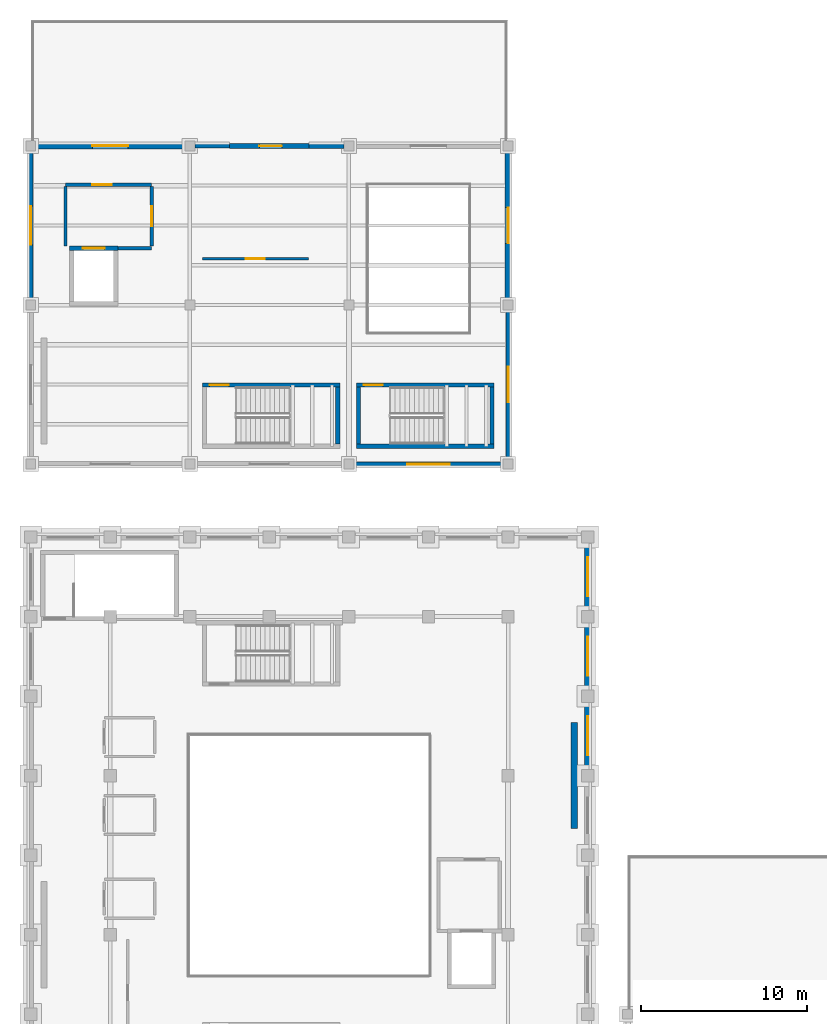
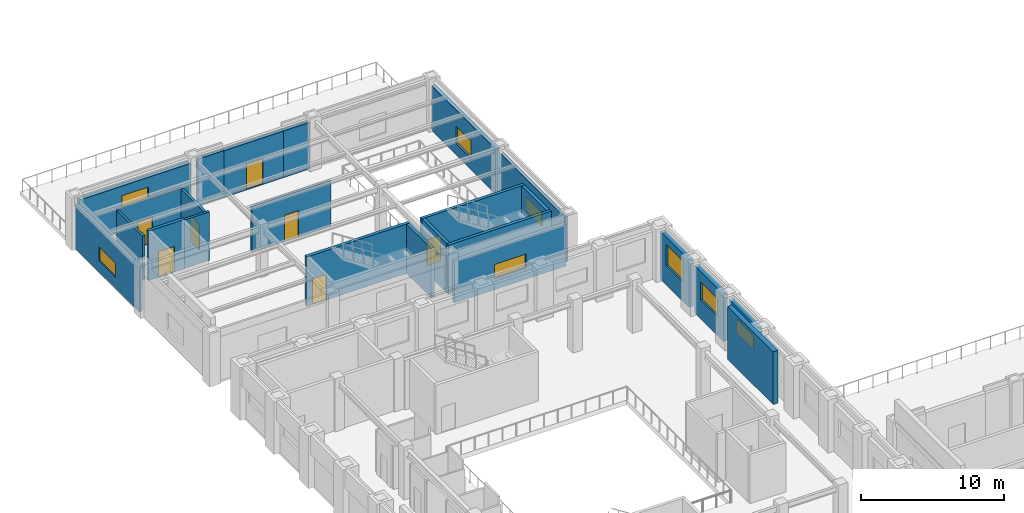
# One storey, part 32 of 46: 24 walls, 8 windows, 7 doors, 15 openings.
"""IFC4 building model written with IfcOpenShell, lengths in metres."""

from ifc_helpers import new_model, si_unit, direction, frame, frame_2d, origin, place, context, subcontext, project, spatial, rectangle, extrude, material, layer, layer_set, type_object, element, fill, save


model = new_model("IFC4")

# Units and contexts
model_context = context("Model", 3, precision=1e-05, world=origin(), true_north=direction((0.0, 1.0)))
body_context = subcontext(model_context, "Body", "Model", "MODEL_VIEW")
ifc_project = project(units=[si_unit("LENGTHUNIT", "METRE"), si_unit("AREAUNIT", "SQUARE_METRE"), si_unit("VOLUMEUNIT", "CUBIC_METRE"), si_unit("PLANEANGLEUNIT", "RADIAN"), si_unit("MASSUNIT", "GRAM", prefix="KILO")], contexts=[model_context])

# Site, building, storey
site_placement = place(None, origin())
site = spatial("IfcSite", under=ifc_project, at=site_placement, CompositionType="ELEMENT")
building_placement = place(site_placement, origin())
building = spatial("IfcBuilding", under=site, at=building_placement, Name="Mavantir Sound Aquarium", CompositionType="ELEMENT")
storey_placement = place(building_placement, frame((0.0, 0.0, 15.300048828125)))
storey = spatial("IfcBuildingStorey", under=building, at=storey_placement, Name="L03", CompositionType="ELEMENT", Elevation=15.300048828125)

# Wall, opening, door
ifc_material_1 = material(Name="Coral-Buff Architectural Precast Concrete C40/50", Category="concrete")
ifc_layer_1 = layer(ifc_material_1, 0.31005859375, Name="Coral-Buff Architectural Precast Concrete C40/50")
ifc_layer_set_1 = layer_set([ifc_layer_1], Name="Coral-Buff Architectural Precast Concrete C40/50")
wall_type_1 = type_object("IfcWallType", Name="EW-CORAL-310", PredefinedType="SOLIDWALL", material=ifc_layer_set_1)
wall_1_placement = place(storey_placement, frame((16.800048828125, 102.800048828125, 0.0), z_axis=(0.0, 0.0, 1.0), x_axis=(-1.0, 0.0, 0.0)))
wall_1 = element("IfcWall", 1, at=wall_1_placement, inside=storey, type_object=wall_type_1, Name="L03 terrace portal wall 17", PredefinedType="SOLIDWALL", context=body_context, shape_type="SweptSolid", body=[
    extrude(rectangle(XDim=4.800048828125, YDim=0.31005859375, at=frame_2d((2.39990234375, 0.0))), origin(), (0.0, 0.0, 1.0), 3.98291015625),
])
opening_1_placement = place(wall_1_placement, frame((3.0, 0.0, 0.0), z_axis=(0.0, 0.0, 1.0), x_axis=(-1.0, 0.0, 0.0)))
opening_1 = element("IfcOpeningElement", 2, at=opening_1_placement, cuts=wall_1, Name="Opening ETD-02", PredefinedType="OPENING", context=body_context, shape_type="SweptSolid", body=[
    extrude(rectangle(XDim=1.35009765625, YDim=2.199951171875, at=frame_2d((0.675048828125, 1.10009765625))), frame((0.0, 0.1650390625, 0.0), z_axis=(0.0, -1.0, 0.0), x_axis=(1.0, 0.0, 0.0)), (0.0, 0.0, 1.0), 0.330078125),
])
ifc_material_2 = material(Name="Marine-Grade Anodised Aluminium and Laminated Glass", Category="aluminium")
door_type_1 = type_object("IfcDoorType", Name="DR-TER-135", OperationType="NOTDEFINED", PredefinedType="DOOR", material=ifc_material_2)
door_1_placement = place(opening_1_placement, origin())
door_1 = element("IfcDoor", 3, at=door_1_placement, inside=storey, type_object=door_type_1, Name="L03 terrace access door 17", OperationType="SINGLE_SWING_RIGHT", OverallHeight=2.199951171875, OverallWidth=1.35009765625, PredefinedType="DOOR", context=body_context, shape_type="SweptSolid", body=[
    extrude(rectangle(XDim=1.35009765625, YDim=2.199951171875, at=frame_2d((0.675048828125, 1.10009765625))), frame((0.0, 0.02490234375, 0.0), z_axis=(0.0, -1.0, 0.0), x_axis=(1.0, 0.0, 0.0)), (0.0, 0.0, 1.0), 0.050048828125),
])
fill(opening_1, door_1)

# Wall, opening, window
ifc_layer_2 = layer(ifc_material_1, 0.340087890625, Name="Coral-Buff Architectural Precast Concrete C40/50")
ifc_layer_set_2 = layer_set([ifc_layer_2], Name="Coral-Buff Architectural Precast Concrete C40/50")
wall_type_2 = type_object("IfcWallType", Name="EW-CORAL-340", PredefinedType="SOLIDWALL", material=ifc_layer_set_2)
wall_2_placement = place(storey_placement, frame((33.60009765625, 65.18310546875, 0.0), z_axis=(0.0, 0.0, 1.0), x_axis=(0.0, 1.0, 0.0)))
wall_2 = element("IfcWall", 4, at=wall_2_placement, inside=storey, type_object=wall_type_2, Name="L03 exterior facade wall EW-01 306", PredefinedType="SOLIDWALL", context=body_context, shape_type="SweptSolid", body=[
    extrude(rectangle(XDim=4.033935546875, YDim=0.340087890625, at=frame_2d((2.01708984375, 0.0))), origin(), (0.0, 0.0, 1.0), 4.074951171875),
])
opening_2_placement = place(wall_2_placement, frame((0.842041015625, 0.0, 1.64990234375)))
opening_2 = element("IfcOpeningElement", 5, at=opening_2_placement, cuts=wall_2, Name="Opening W-29", PredefinedType="OPENING", context=body_context, shape_type="SweptSolid", body=[
    extrude(rectangle(XDim=2.35009765625, YDim=1.199951171875, at=frame_2d((1.175048828125, 0.60009765625))), frame((0.0, 0.18017578125, 0.0), z_axis=(0.0, -1.0, 0.0), x_axis=(1.0, 0.0, 0.0)), (0.0, 0.0, 1.0), 0.360107421875),
])
ifc_material_3 = material(Name="Thermally Broken Aluminium and Low-E Glass", Category="aluminium")
window_type_1 = type_object("IfcWindowType", Name="WIN-EXT-29", PartitioningType="DOUBLE_PANEL_VERTICAL", PredefinedType="WINDOW", material=ifc_material_3)
window_1_placement = place(opening_2_placement, origin())
window_1 = element("IfcWindow", 6, at=window_1_placement, inside=storey, type_object=window_type_1, Name="L03 facade window W-29 125", OverallHeight=1.199951171875, OverallWidth=2.35009765625, PartitioningType="SINGLE_PANEL", PredefinedType="WINDOW", context=body_context, shape_type="SweptSolid", body=[
    extrude(rectangle(XDim=2.35009765625, YDim=1.199951171875, at=frame_2d((1.175048828125, 0.60009765625))), frame((0.0, 0.030029296875, 0.0), z_axis=(0.0, -1.0, 0.0), x_axis=(1.0, 0.0, 0.0)), (0.0, 0.0, 1.0), 0.06005859375),
])
fill(opening_2, window_1)

wall_3_placement = place(storey_placement, frame((33.60009765625, 69.98291015625, 0.0), z_axis=(0.0, 0.0, 1.0), x_axis=(0.0, 1.0, 0.0)))
wall_3 = element("IfcWall", 7, at=wall_3_placement, inside=storey, type_object=wall_type_2, Name="L03 exterior facade wall EW-01 307", PredefinedType="SOLIDWALL", context=body_context, shape_type="SweptSolid", body=[
    extrude(rectangle(XDim=4.0341796875, YDim=0.340087890625, at=frame_2d((2.01708984375, 0.0))), origin(), (0.0, 0.0, 1.0), 4.074951171875),
])
opening_3_placement = place(wall_3_placement, frame((0.842041015625, 0.0, 1.64990234375)))
opening_3 = element("IfcOpeningElement", 8, at=opening_3_placement, cuts=wall_3, Name="Opening W-30", PredefinedType="OPENING", context=body_context, shape_type="SweptSolid", body=[
    extrude(rectangle(XDim=2.35009765625, YDim=1.5, at=frame_2d((1.175048828125, 0.75))), frame((0.0, 0.18017578125, 0.0), z_axis=(0.0, -1.0, 0.0), x_axis=(1.0, 0.0, 0.0)), (0.0, 0.0, 1.0), 0.360107421875),
])
window_type_2 = type_object("IfcWindowType", Name="WIN-EXT-30", PartitioningType="DOUBLE_PANEL_VERTICAL", PredefinedType="WINDOW", material=ifc_material_3)
window_2_placement = place(opening_3_placement, origin())
window_2 = element("IfcWindow", 9, at=window_2_placement, inside=storey, type_object=window_type_2, Name="L03 facade window W-30 126", OverallHeight=1.5, OverallWidth=2.35009765625, PartitioningType="SINGLE_PANEL", PredefinedType="WINDOW", context=body_context, shape_type="SweptSolid", body=[
    extrude(rectangle(XDim=2.35009765625, YDim=1.5, at=frame_2d((1.175048828125, 0.75))), frame((0.0, 0.030029296875, 0.0), z_axis=(0.0, -1.0, 0.0), x_axis=(1.0, 0.0, 0.0)), (0.0, 0.0, 1.0), 0.06005859375),
])
fill(opening_3, window_2)

wall_4_placement = place(storey_placement, frame((33.60009765625, 74.782958984375, 0.0), z_axis=(0.0, 0.0, 1.0), x_axis=(0.0, 1.0, 0.0)))
wall_4 = element("IfcWall", 10, at=wall_4_placement, inside=storey, type_object=wall_type_2, Name="L03 exterior facade wall EW-01 308", PredefinedType="SOLIDWALL", context=body_context, shape_type="SweptSolid", body=[
    extrude(rectangle(XDim=4.033935546875, YDim=0.340087890625, at=frame_2d((2.01708984375, 0.0))), origin(), (0.0, 0.0, 1.0), 4.074951171875),
])
opening_4_placement = place(wall_4_placement, frame((0.842041015625, 0.0, 1.64990234375)))
opening_4 = element("IfcOpeningElement", 11, at=opening_4_placement, cuts=wall_4, Name="Opening W-31", PredefinedType="OPENING", context=body_context, shape_type="SweptSolid", body=[
    extrude(rectangle(XDim=2.35009765625, YDim=1.800048828125, at=frame_2d((1.175048828125, 0.89990234375))), frame((0.0, 0.18017578125, 0.0), z_axis=(0.0, -1.0, 0.0), x_axis=(1.0, 0.0, 0.0)), (0.0, 0.0, 1.0), 0.360107421875),
])
window_type_3 = type_object("IfcWindowType", Name="WIN-EXT-31", PartitioningType="DOUBLE_PANEL_VERTICAL", PredefinedType="WINDOW", material=ifc_material_3)
window_3_placement = place(opening_4_placement, origin())
window_3 = element("IfcWindow", 12, at=window_3_placement, inside=storey, type_object=window_type_3, Name="L03 facade window W-31 127", OverallHeight=1.800048828125, OverallWidth=2.35009765625, PartitioningType="SINGLE_PANEL", PredefinedType="WINDOW", context=body_context, shape_type="SweptSolid", body=[
    extrude(rectangle(XDim=2.35009765625, YDim=1.800048828125, at=frame_2d((1.175048828125, 0.89990234375))), frame((0.0, 0.030029296875, 0.0), z_axis=(0.0, -1.0, 0.0), x_axis=(1.0, 0.0, 0.0)), (0.0, 0.0, 1.0), 0.06005859375),
])
fill(opening_4, window_3)

wall_5_placement = place(storey_placement, frame((28.800048828125, 93.508056640625, 0.0), z_axis=(0.0, 0.0, 1.0), x_axis=(0.0, 1.0, 0.0)))
wall_5 = element("IfcWall", 13, at=wall_5_placement, inside=storey, type_object=wall_type_2, Name="L03 exterior facade wall EW-01 367", PredefinedType="SOLIDWALL", context=body_context, shape_type="SweptSolid", body=[
    extrude(rectangle(XDim=8.98388671875, YDim=0.340087890625, at=frame_2d((4.491943359375, 0.0))), origin(), (0.0, 0.0, 1.0), 3.822998046875),
])
opening_5_placement = place(wall_5_placement, frame((3.4169921875, 0.0, 0.949951171875)))
opening_5 = element("IfcOpeningElement", 14, at=opening_5_placement, cuts=wall_5, Name="Opening W-26", PredefinedType="OPENING", context=body_context, shape_type="SweptSolid", body=[
    extrude(rectangle(XDim=2.14990234375, YDim=1.5, at=frame_2d((1.074951171875, 0.75))), frame((0.0, 0.18017578125, 0.0), z_axis=(0.0, -1.0, 0.0), x_axis=(1.0, 0.0, 0.0)), (0.0, 0.0, 1.0), 0.360107421875),
])
window_type_4 = type_object("IfcWindowType", Name="WIN-EXT-26", PartitioningType="DOUBLE_PANEL_VERTICAL", PredefinedType="WINDOW", material=ifc_material_3)
window_4_placement = place(opening_5_placement, origin())
window_4 = element("IfcWindow", 15, at=window_4_placement, inside=storey, type_object=window_type_4, Name="L03 facade window W-26 170", OverallHeight=1.5, OverallWidth=2.14990234375, PartitioningType="SINGLE_PANEL", PredefinedType="WINDOW", context=body_context, shape_type="SweptSolid", body=[
    extrude(rectangle(XDim=2.14990234375, YDim=1.5, at=frame_2d((1.074951171875, 0.75))), frame((0.0, 0.030029296875, 0.0), z_axis=(0.0, -1.0, 0.0), x_axis=(1.0, 0.0, 0.0)), (0.0, 0.0, 1.0), 0.06005859375),
])
fill(opening_5, window_4)

ifc_material_4 = material(Name="Architectural Precast Concrete C40/50", Category="concrete")
ifc_layer_3 = layer(ifc_material_4, 0.239990234375, Name="Architectural Precast Concrete C40/50")
ifc_layer_set_3 = layer_set([ifc_layer_3], Name="Architectural Precast Concrete C40/50")
wall_type_3 = type_object("IfcWallType", Name="EW-PRE-240", PredefinedType="SOLIDWALL", material=ifc_layer_set_3)
wall_6_placement = place(storey_placement, frame((28.800048828125, 83.907958984375, 0.0), z_axis=(0.0, 0.0, 1.0), x_axis=(0.0, 1.0, 0.0)))
wall_6 = element("IfcWall", 16, at=wall_6_placement, inside=storey, type_object=wall_type_3, Name="L03 exterior facade wall EW-06 366", PredefinedType="SOLIDWALL", context=body_context, shape_type="SweptSolid", body=[
    extrude(rectangle(XDim=8.984130859375, YDim=0.239990234375, at=frame_2d((4.4921875, 0.0))), origin(), (0.0, 0.0, 1.0), 3.822998046875),
])
opening_6_placement = place(wall_6_placement, frame((3.4169921875, 0.0, 0.949951171875)))
opening_6 = element("IfcOpeningElement", 17, at=opening_6_placement, cuts=wall_6, Name="Opening W-25", PredefinedType="OPENING", context=body_context, shape_type="SweptSolid", body=[
    extrude(rectangle(XDim=2.14990234375, YDim=1.199951171875, at=frame_2d((1.074951171875, 0.60009765625))), frame((0.0, 0.1298828125, 0.0), z_axis=(0.0, -1.0, 0.0), x_axis=(1.0, 0.0, 0.0)), (0.0, 0.0, 1.0), 0.260009765625),
])
window_type_5 = type_object("IfcWindowType", Name="WIN-EXT-25", PartitioningType="DOUBLE_PANEL_VERTICAL", PredefinedType="WINDOW", material=ifc_material_3)
window_5_placement = place(opening_6_placement, origin())
window_5 = element("IfcWindow", 18, at=window_5_placement, inside=storey, type_object=window_type_5, Name="L03 facade window W-25 169", OverallHeight=1.199951171875, OverallWidth=2.14990234375, PartitioningType="SINGLE_PANEL", PredefinedType="WINDOW", context=body_context, shape_type="SweptSolid", body=[
    extrude(rectangle(XDim=2.14990234375, YDim=1.199951171875, at=frame_2d((1.074951171875, 0.60009765625))), frame((0.0, 0.030029296875, 0.0), z_axis=(0.0, -1.0, 0.0), x_axis=(1.0, 0.0, 0.0)), (0.0, 0.0, 1.0), 0.06005859375),
])
fill(opening_6, window_5)

wall_7_placement = place(storey_placement, frame((0.0, 102.491943359375, 0.0), z_axis=(0.0, 0.0, 1.0), x_axis=(0.0, -1.0, 0.0)))
wall_7 = element("IfcWall", 19, at=wall_7_placement, inside=storey, type_object=wall_type_3, Name="L03 exterior facade wall EW-06 372", PredefinedType="SOLIDWALL", context=body_context, shape_type="SweptSolid", body=[
    extrude(rectangle(XDim=8.98388671875, YDim=0.239990234375, at=frame_2d((4.491943359375, 0.0))), origin(), (0.0, 0.0, 1.0), 3.76904296875),
])
opening_7_placement = place(wall_7_placement, frame((3.31689453125, 0.0, 0.949951171875)))
opening_7 = element("IfcOpeningElement", 20, at=opening_7_placement, cuts=wall_7, Name="Opening W-29", PredefinedType="OPENING", context=body_context, shape_type="SweptSolid", body=[
    extrude(rectangle(XDim=2.35009765625, YDim=1.199951171875, at=frame_2d((1.175048828125, 0.60009765625))), frame((0.0, 0.1298828125, 0.0), z_axis=(0.0, -1.0, 0.0), x_axis=(1.0, 0.0, 0.0)), (0.0, 0.0, 1.0), 0.260009765625),
])
window_6_placement = place(opening_7_placement, origin())
window_6 = element("IfcWindow", 21, at=window_6_placement, inside=storey, type_object=window_type_1, Name="L03 facade window W-29 173", OverallHeight=1.199951171875, OverallWidth=2.35009765625, PartitioningType="SINGLE_PANEL", PredefinedType="WINDOW", context=body_context, shape_type="SweptSolid", body=[
    extrude(rectangle(XDim=2.35009765625, YDim=1.199951171875, at=frame_2d((1.175048828125, 0.60009765625))), frame((0.0, 0.030029296875, 0.0), z_axis=(0.0, -1.0, 0.0), x_axis=(1.0, 0.0, 0.0)), (0.0, 0.0, 1.0), 0.06005859375),
])
fill(opening_7, window_6)

ifc_layer_4 = layer(ifc_material_1, 0.360107421875, Name="Coral-Buff Architectural Precast Concrete C40/50")
ifc_layer_set_4 = layer_set([ifc_layer_4], Name="Coral-Buff Architectural Precast Concrete C40/50")
wall_type_4 = type_object("IfcWallType", Name="EW-PRE-360", PredefinedType="SOLIDWALL", material=ifc_layer_set_4)
wall_8_placement = place(storey_placement, frame((9.2919921875, 102.800048828125, 0.0), z_axis=(0.0, 0.0, 1.0), x_axis=(-1.0, 0.0, 0.0)))
wall_8 = element("IfcWall", 22, at=wall_8_placement, inside=storey, type_object=wall_type_4, Name="L03 exterior facade wall EW-05 371", PredefinedType="SOLIDWALL", context=body_context, shape_type="SweptSolid", body=[
    extrude(rectangle(XDim=8.98388671875, YDim=0.360107421875, at=frame_2d((4.491943359375, 0.0))), origin(), (0.0, 0.0, 1.0), 3.8779296875),
])
opening_8_placement = place(wall_8_placement, frame((3.4169921875, 0.0, 0.949951171875)))
opening_8 = element("IfcOpeningElement", 23, at=opening_8_placement, cuts=wall_8, Name="Opening W-28", PredefinedType="OPENING", context=body_context, shape_type="SweptSolid", body=[
    extrude(rectangle(XDim=2.14990234375, YDim=2.10009765625, at=frame_2d((1.074951171875, 1.050048828125))), frame((0.0, 0.18994140625, 0.0), z_axis=(0.0, -1.0, 0.0), x_axis=(1.0, 0.0, 0.0)), (0.0, 0.0, 1.0), 0.380126953125),
])
window_type_6 = type_object("IfcWindowType", Name="WIN-EXT-28", PartitioningType="DOUBLE_PANEL_VERTICAL", PredefinedType="WINDOW", material=ifc_material_3)
window_7_placement = place(opening_8_placement, origin())
window_7 = element("IfcWindow", 24, at=window_7_placement, inside=storey, type_object=window_type_6, Name="L03 facade window W-28 172", OverallHeight=2.10009765625, OverallWidth=2.14990234375, PartitioningType="SINGLE_PANEL", PredefinedType="WINDOW", context=body_context, shape_type="SweptSolid", body=[
    extrude(rectangle(XDim=2.14990234375, YDim=2.10009765625, at=frame_2d((1.074951171875, 1.050048828125))), frame((0.0, 0.030029296875, 0.0), z_axis=(0.0, -1.0, 0.0), x_axis=(1.0, 0.0, 0.0)), (0.0, 0.0, 1.0), 0.06005859375),
])
fill(opening_8, window_7)

# Wall
ifc_material_5 = material(Name="Cerulean Glazed Terracotta Rainscreen on Concrete C40/50", Category="masonry")
ifc_layer_5 = layer(ifc_material_5, 0.27001953125, Name="Cerulean Glazed Terracotta Rainscreen on Concrete C40/50")
ifc_layer_set_5 = layer_set([ifc_layer_5], Name="Cerulean Glazed Terracotta Rainscreen on Concrete C40/50")
wall_type_5 = type_object("IfcWallType", Name="EW-TERRA-270", PredefinedType="SOLIDWALL", material=ifc_layer_set_5)
wall_9_placement = place(storey_placement, frame((11.9951171875, 102.800048828125, 0.0), z_axis=(0.0, 0.0, 1.0), x_axis=(-1.0, 0.0, 0.0)))
element("IfcWall", 25, at=wall_9_placement, inside=storey, type_object=wall_type_5, Name="L03 exterior facade wall EW-04 370", PredefinedType="SOLIDWALL", context=body_context, shape_type="SweptSolid", body=[
    extrude(rectangle(XDim=2.087158203125, YDim=0.27001953125, at=frame_2d((1.04345703125, 0.0))), origin(), (0.0, 0.0, 1.0), 3.98291015625),
])

# Wall, opening, window
wall_10_placement = place(storey_placement, frame((19.508056640625, 83.60009765625, 0.0), z_axis=(0.0, 0.0, 1.0), x_axis=(1.0, 0.0, 0.0)))
wall_10 = element("IfcWall", 26, at=wall_10_placement, inside=storey, type_object=wall_type_5, Name="L03 exterior facade wall EW-04 376", PredefinedType="SOLIDWALL", context=body_context, shape_type="SweptSolid", body=[
    extrude(rectangle(XDim=8.98388671875, YDim=0.27001953125, at=frame_2d((4.491943359375, 0.0))), origin(), (0.0, 0.0, 1.0), 3.574951171875),
])
opening_9_placement = place(wall_10_placement, frame((3.217041015625, 0.0, 0.949951171875)))
opening_9 = element("IfcOpeningElement", 27, at=opening_9_placement, cuts=wall_10, Name="Opening W-33", PredefinedType="OPENING", context=body_context, shape_type="SweptSolid", body=[
    extrude(rectangle(XDim=2.550048828125, YDim=1.199951171875, at=frame_2d((1.27490234375, 0.60009765625))), frame((0.0, 0.14501953125, 0.0), z_axis=(0.0, -1.0, 0.0), x_axis=(1.0, 0.0, 0.0)), (0.0, 0.0, 1.0), 0.2900390625),
])
window_type_7 = type_object("IfcWindowType", Name="WIN-EXT-33", PartitioningType="TRIPLE_PANEL_VERTICAL", PredefinedType="WINDOW", material=ifc_material_3)
window_8_placement = place(opening_9_placement, origin())
window_8 = element("IfcWindow", 28, at=window_8_placement, inside=storey, type_object=window_type_7, Name="L03 facade window W-33 177", OverallHeight=1.199951171875, OverallWidth=2.550048828125, PartitioningType="SINGLE_PANEL", PredefinedType="WINDOW", context=body_context, shape_type="SweptSolid", body=[
    extrude(rectangle(XDim=2.550048828125, YDim=1.199951171875, at=frame_2d((1.27490234375, 0.60009765625))), frame((0.0, 0.030029296875, 0.0), z_axis=(0.0, -1.0, 0.0), x_axis=(1.0, 0.0, 0.0)), (0.0, 0.0, 1.0), 0.06005859375),
])
fill(opening_9, window_8)

# Wall
ifc_material_6 = material(Name="Turquoise Glazed Terracotta Rainscreen on Concrete C40/50", Category="masonry")
ifc_layer_6 = layer(ifc_material_6, 0.2900390625, Name="Turquoise Glazed Terracotta Rainscreen on Concrete C40/50")
ifc_layer_set_6 = layer_set([ifc_layer_6], Name="Turquoise Glazed Terracotta Rainscreen on Concrete C40/50")
wall_type_6 = type_object("IfcWallType", Name="EW-TERRA-290", PredefinedType="SOLIDWALL", material=ifc_layer_set_6)
wall_11_placement = place(storey_placement, frame((18.89208984375, 102.800048828125, 0.0), z_axis=(0.0, 0.0, 1.0), x_axis=(-1.0, 0.0, 0.0)))
element("IfcWall", 29, at=wall_11_placement, inside=storey, type_object=wall_type_6, Name="L03 exterior facade wall EW-03 369", PredefinedType="SOLIDWALL", context=body_context, shape_type="SweptSolid", body=[
    extrude(rectangle(XDim=2.087158203125, YDim=0.2900390625, at=frame_2d((1.04345703125, 0.0))), origin(), (0.0, 0.0, 1.0), 3.98291015625),
])

# Wall, opening, door
ifc_material_7 = material(Name="Concrete C40/50", Category="concrete")
ifc_layer_7 = layer(ifc_material_7, 0.199951171875, Name="Concrete C40/50")
ifc_layer_set_7 = layer_set([ifc_layer_7], Name="Concrete C40/50")
wall_type_7 = type_object("IfcWallType", Name="IW-FFL-200", PredefinedType="PARTITIONING", material=ifc_layer_set_7)
wall_12_placement = place(storey_placement, frame((2.10009765625, 100.449951171875, 0.0), z_axis=(0.0, 0.0, 1.0), x_axis=(1.0, 0.0, 0.0)))
wall_12 = element("IfcWall", 30, at=wall_12_placement, inside=storey, type_object=wall_type_7, Name="L03 firefighting lift lobby LC2 wall N", PredefinedType="PARTITIONING", context=body_context, shape_type="SweptSolid", body=[
    extrude(rectangle(XDim=5.199951171875, YDim=0.199951171875, at=frame_2d((2.60009765625, 0.0))), origin(), (0.0, 0.0, 1.0), 3.8330078125),
])
opening_10_placement = place(wall_12_placement, frame((1.60009765625, 0.0, 0.0)))
opening_10 = element("IfcOpeningElement", 31, at=opening_10_placement, cuts=wall_12, Name="Opening FD-01", PredefinedType="OPENING", context=body_context, shape_type="SweptSolid", body=[
    extrude(rectangle(XDim=1.199951171875, YDim=2.199951171875, at=frame_2d((0.60009765625, 1.10009765625))), frame((0.0, 0.10986328125, 0.0), z_axis=(0.0, -1.0, 0.0), x_axis=(1.0, 0.0, 0.0)), (0.0, 0.0, 1.0), 0.219970703125),
])
ifc_material_8 = material(Name="Fire-Rated Steel Lobby Door Leaf", Category="steel")
door_type_2 = type_object("IfcDoorType", Name="DR-FFL-120", OperationType="NOTDEFINED", PredefinedType="DOOR", material=ifc_material_8)
door_2_placement = place(opening_10_placement, origin())
door_2 = element("IfcDoor", 32, at=door_2_placement, inside=storey, type_object=door_type_2, Name="L03 firefighting lobby LC2 accommodation door", OperationType="SINGLE_SWING_LEFT", OverallHeight=2.199951171875, OverallWidth=1.199951171875, PredefinedType="DOOR", context=body_context, shape_type="SweptSolid", body=[
    extrude(rectangle(XDim=1.199951171875, YDim=2.199951171875, at=frame_2d((0.60009765625, 1.10009765625))), frame((0.0, 0.02490234375, 0.0), z_axis=(0.0, -1.0, 0.0), x_axis=(1.0, 0.0, 0.0)), (0.0, 0.0, 1.0), 0.050048828125),
])
fill(opening_10, door_2)

# Wall
wall_13_placement = place(storey_placement, frame((2.10009765625, 96.75, 0.0), z_axis=(0.0, 0.0, 1.0), x_axis=(0.0, 1.0, 0.0)))
element("IfcWall", 33, at=wall_13_placement, inside=storey, type_object=wall_type_7, Name="L03 firefighting lift lobby LC2 wall W", PredefinedType="PARTITIONING", context=body_context, shape_type="SweptSolid", body=[
    extrude(rectangle(XDim=3.60009765625, YDim=0.199951171875, at=frame_2d((1.800048828125, 0.0))), origin(), (0.0, 0.0, 1.0), 3.76904296875),
])

# Wall, opening, door
wall_14_placement = place(storey_placement, frame((7.300048828125, 96.75, 0.0), z_axis=(0.0, 0.0, 1.0), x_axis=(0.0, 1.0, 0.0)))
wall_14 = element("IfcWall", 34, at=wall_14_placement, inside=storey, type_object=wall_type_7, Name="L03 firefighting lift lobby LC2 wall E", PredefinedType="PARTITIONING", context=body_context, shape_type="SweptSolid", body=[
    extrude(rectangle(XDim=3.60009765625, YDim=0.199951171875, at=frame_2d((1.800048828125, 0.0))), origin(), (0.0, 0.0, 1.0), 3.76904296875),
])
opening_11_placement = place(wall_14_placement, frame((1.199951171875, 0.0, 0.0)))
opening_11 = element("IfcOpeningElement", 35, at=opening_11_placement, cuts=wall_14, Name="Opening FD-01", PredefinedType="OPENING", context=body_context, shape_type="SweptSolid", body=[
    extrude(rectangle(XDim=1.199951171875, YDim=2.199951171875, at=frame_2d((0.60009765625, 1.10009765625))), frame((0.0, 0.10986328125, 0.0), z_axis=(0.0, -1.0, 0.0), x_axis=(1.0, 0.0, 0.0)), (0.0, 0.0, 1.0), 0.219970703125),
])
door_3_placement = place(opening_11_placement, origin())
door_3 = element("IfcDoor", 36, at=door_3_placement, inside=storey, type_object=door_type_2, Name="L03 firefighting lobby LC2 stair-access door", OperationType="SINGLE_SWING_RIGHT", OverallHeight=2.199951171875, OverallWidth=1.199951171875, PredefinedType="DOOR", context=body_context, shape_type="SweptSolid", body=[
    extrude(rectangle(XDim=1.199951171875, YDim=2.199951171875, at=frame_2d((0.60009765625, 1.10009765625))), frame((0.0, 0.02490234375, 0.0), z_axis=(0.0, -1.0, 0.0), x_axis=(1.0, 0.0, 0.0)), (0.0, 0.0, 1.0), 0.050048828125),
])
fill(opening_11, door_3)

# Wall
wall_15_placement = place(storey_placement, frame((5.25, 96.625, 0.0), z_axis=(0.0, 0.0, 1.0), x_axis=(1.0, 0.0, 0.0)))
element("IfcWall", 37, at=wall_15_placement, inside=storey, type_object=wall_type_7, Name="L03 firefighting lift lobby LC2 return SE", PredefinedType="PARTITIONING", context=body_context, shape_type="SweptSolid", body=[
    extrude(rectangle(XDim=2.050048828125, YDim=0.199951171875, at=frame_2d((1.02490234375, 0.0))), origin(), (0.0, 0.0, 1.0), 4.139892578125),
])

# Wall, opening, door
ifc_material_9 = material(Name="Acoustic Metal-Stud Gypsum Partition", Category="gypsum")
ifc_layer_8 = layer(ifc_material_9, 0.159912109375, Name="Acoustic Metal-Stud Gypsum Partition")
ifc_layer_set_8 = layer_set([ifc_layer_8], Name="Acoustic Metal-Stud Gypsum Partition")
wall_type_8 = type_object("IfcWallType", Name="IW-PART-160", PredefinedType="PARTITIONING", material=ifc_layer_set_8)
wall_16_placement = place(storey_placement, frame((10.35009765625, 96.0, 0.0), z_axis=(0.0, 0.0, 1.0), x_axis=(1.0, 0.0, 0.0)))
wall_16 = element("IfcWall", 38, at=wall_16_placement, inside=storey, type_object=wall_type_8, Name="L03 Marine Research Curatorial Library and Herbarium entry partition", PredefinedType="PARTITIONING", context=body_context, shape_type="SweptSolid", body=[
    extrude(rectangle(XDim=6.39990234375, YDim=0.159912109375, at=frame_2d((3.199951171875, 0.0))), origin(), (0.0, 0.0, 1.0), 3.8759765625),
])
opening_12_placement = place(wall_16_placement, frame((2.6298828125, 0.0, 0.0)))
opening_12 = element("IfcOpeningElement", 39, at=opening_12_placement, cuts=wall_16, Name="Opening ID-07", PredefinedType="OPENING", context=body_context, shape_type="SweptSolid", body=[
    extrude(rectangle(XDim=1.139892578125, YDim=2.219970703125, at=frame_2d((0.56982421875, 1.10986328125))), frame((0.0, 0.08984375, 0.0), z_axis=(0.0, -1.0, 0.0), x_axis=(1.0, 0.0, 0.0)), (0.0, 0.0, 1.0), 0.179931640625),
])
ifc_material_10 = material(Name="Solid-Core Marine Hardwood and Vision-Panel Door", Category="wood")
door_type_3 = type_object("IfcDoorType", Name="DR-INT-07", OperationType="NOTDEFINED", PredefinedType="DOOR", material=ifc_material_10)
door_4_placement = place(opening_12_placement, origin())
door_4 = element("IfcDoor", 40, at=door_4_placement, inside=storey, type_object=door_type_3, Name="Marine Research Curatorial Library and Herbarium door", OperationType="SINGLE_SWING_LEFT", OverallHeight=2.219970703125, OverallWidth=1.139892578125, PredefinedType="DOOR", context=body_context, shape_type="SweptSolid", body=[
    extrude(rectangle(XDim=1.139892578125, YDim=2.219970703125, at=frame_2d((0.56982421875, 1.10986328125))), frame((0.0, 0.02490234375, 0.0), z_axis=(0.0, -1.0, 0.0), x_axis=(1.0, 0.0, 0.0)), (0.0, 0.0, 1.0), 0.050048828125),
])
fill(opening_12, door_4)

ifc_layer_9 = layer(ifc_material_7, 0.25, Name="Concrete C40/50")
ifc_layer_set_9 = layer_set([ifc_layer_9], Name="Concrete C40/50")
wall_type_9 = type_object("IfcWallType", Name="IW-SHAFT-250", PredefinedType="SHEAR", material=ifc_layer_set_9)
wall_17_placement = place(storey_placement, frame((18.64990234375, 88.375, 0.0), z_axis=(0.0, 0.0, 1.0), x_axis=(-1.0, 0.0, 0.0)))
wall_17 = element("IfcWall", 41, at=wall_17_placement, inside=storey, type_object=wall_type_9, Name="L03 stair ST5 shaft wall N", PredefinedType="SHEAR", context=body_context, shape_type="SweptSolid", body=[
    extrude(rectangle(XDim=8.2998046875, YDim=0.25, at=frame_2d((4.14990234375, 0.0))), origin(), (0.0, 0.0, 1.0), 4.219970703125),
])
opening_13_placement = place(wall_17_placement, frame((7.849853515625, 0.0, 0.0), z_axis=(0.0, 0.0, 1.0), x_axis=(-1.0, 0.0, 0.0)))
opening_13 = element("IfcOpeningElement", 42, at=opening_13_placement, cuts=wall_17, Name="Opening SD-02", PredefinedType="OPENING", context=body_context, shape_type="SweptSolid", body=[
    extrude(rectangle(XDim=1.14990234375, YDim=2.199951171875, at=frame_2d((0.574951171875, 1.10009765625))), frame((0.0, 0.135009765625, 0.0), z_axis=(0.0, -1.0, 0.0), x_axis=(1.0, 0.0, 0.0)), (0.0, 0.0, 1.0), 0.27001953125),
])
ifc_material_11 = material(Name="Fire-Rated Steel Acoustic Door Leaf", Category="steel")
door_type_4 = type_object("IfcDoorType", Name="DR-ST-115", OperationType="NOTDEFINED", PredefinedType="DOOR", material=ifc_material_11)
door_5_placement = place(opening_13_placement, origin())
door_5 = element("IfcDoor", 43, at=door_5_placement, inside=storey, type_object=door_type_4, Name="L03 protected exit stair ST5 door", OperationType="SINGLE_SWING_RIGHT", OverallHeight=2.199951171875, OverallWidth=1.14990234375, PredefinedType="DOOR", context=body_context, shape_type="SweptSolid", body=[
    extrude(rectangle(XDim=1.14990234375, YDim=2.199951171875, at=frame_2d((0.574951171875, 1.10009765625))), frame((0.0, 0.02490234375, 0.0), z_axis=(0.0, -1.0, 0.0), x_axis=(1.0, 0.0, 0.0)), (0.0, 0.0, 1.0), 0.050048828125),
])
fill(opening_13, door_5)

# Walls
wall_18_placement = place(storey_placement, frame((18.52490234375, 84.800048828125, 0.0), z_axis=(0.0, 0.0, 1.0), x_axis=(0.0, 1.0, 0.0)))
element("IfcWall", 44, at=wall_18_placement, inside=storey, type_object=wall_type_9, Name="L03 stair ST5 shaft wall E", PredefinedType="SHEAR", context=body_context, shape_type="SweptSolid", body=[
    extrude(rectangle(XDim=3.449951171875, YDim=0.25, at=frame_2d((1.72509765625, 0.0))), origin(), (0.0, 0.0, 1.0), 4.219970703125),
])
wall_19_placement = place(storey_placement, frame((19.64990234375, 84.675048828125, 0.0), z_axis=(0.0, 0.0, 1.0), x_axis=(1.0, 0.0, 0.0)))
element("IfcWall", 45, at=wall_19_placement, inside=storey, type_object=wall_type_9, Name="L03 stair ST7 shaft wall S", PredefinedType="SHEAR", context=body_context, shape_type="SweptSolid", body=[
    extrude(rectangle(XDim=8.300048828125, YDim=0.25, at=frame_2d((4.14990234375, 0.0))), origin(), (0.0, 0.0, 1.0), 4.219970703125),
])

# Wall, opening, door
wall_20_placement = place(storey_placement, frame((27.949951171875, 88.375, 0.0), z_axis=(0.0, 0.0, 1.0), x_axis=(-1.0, 0.0, 0.0)))
wall_20 = element("IfcWall", 46, at=wall_20_placement, inside=storey, type_object=wall_type_9, Name="L03 stair ST7 shaft wall N", PredefinedType="SHEAR", context=body_context, shape_type="SweptSolid", body=[
    extrude(rectangle(XDim=8.300048828125, YDim=0.25, at=frame_2d((4.14990234375, 0.0))), origin(), (0.0, 0.0, 1.0), 4.219970703125),
])
opening_14_placement = place(wall_20_placement, frame((7.849853515625, 0.0, 0.0), z_axis=(0.0, 0.0, 1.0), x_axis=(-1.0, 0.0, 0.0)))
opening_14 = element("IfcOpeningElement", 47, at=opening_14_placement, cuts=wall_20, Name="Opening SD-02", PredefinedType="OPENING", context=body_context, shape_type="SweptSolid", body=[
    extrude(rectangle(XDim=1.14990234375, YDim=2.199951171875, at=frame_2d((0.574951171875, 1.10009765625))), frame((0.0, 0.135009765625, 0.0), z_axis=(0.0, -1.0, 0.0), x_axis=(1.0, 0.0, 0.0)), (0.0, 0.0, 1.0), 0.27001953125),
])
door_6_placement = place(opening_14_placement, origin())
door_6 = element("IfcDoor", 48, at=door_6_placement, inside=storey, type_object=door_type_4, Name="L03 protected exit stair ST7 door", OperationType="SINGLE_SWING_RIGHT", OverallHeight=2.199951171875, OverallWidth=1.14990234375, PredefinedType="DOOR", context=body_context, shape_type="SweptSolid", body=[
    extrude(rectangle(XDim=1.14990234375, YDim=2.199951171875, at=frame_2d((0.574951171875, 1.10009765625))), frame((0.0, 0.02490234375, 0.0), z_axis=(0.0, -1.0, 0.0), x_axis=(1.0, 0.0, 0.0)), (0.0, 0.0, 1.0), 0.050048828125),
])
fill(opening_14, door_6)

# Walls
for number, where, z_axis, x_axis, name in (
    (49, (19.77490234375, 88.25, 0.0), (0.0, 0.0, 1.0), (0.0, -1.0, 0.0), "L03 stair ST7 shaft wall W"),
    (50, (27.824951171875, 84.800048828125, 0.0), (0.0, 0.0, 1.0), (0.0, 1.0, 0.0), "L03 stair ST7 shaft wall E"),
):
    element("IfcWall", number, at=place(storey_placement, frame(where, z_axis=z_axis, x_axis=x_axis)), inside=storey, type_object=wall_type_9, Name=name, PredefinedType="SHEAR", context=body_context, shape_type="SweptSolid", body=[
        extrude(rectangle(XDim=3.449951171875, YDim=0.25, at=frame_2d((1.72509765625, 0.0))), origin(), (0.0, 0.0, 1.0), 4.219970703125),
    ])

# Wall, opening, door
wall_21_placement = place(storey_placement, frame((2.35009765625, 96.625, 0.0), z_axis=(0.0, 0.0, 1.0), x_axis=(1.0, 0.0, 0.0)))
wall_21 = element("IfcWall", 51, at=wall_21_placement, inside=storey, type_object=wall_type_9, Name="L03 lift LC2 shaft wall N", PredefinedType="SHEAR", context=body_context, shape_type="SweptSolid", body=[
    extrude(rectangle(XDim=2.89990234375, YDim=0.25, at=frame_2d((1.449951171875, 0.0))), origin(), (0.0, 0.0, 1.0), 4.219970703125),
])
opening_15_placement = place(wall_21_placement, frame((0.800048828125, 0.0, 0.0)))
opening_15 = element("IfcOpeningElement", 52, at=opening_15_placement, cuts=wall_21, Name="Opening LD-01", PredefinedType="OPENING", context=body_context, shape_type="SweptSolid", body=[
    extrude(rectangle(XDim=1.300048828125, YDim=2.199951171875, at=frame_2d((0.64990234375, 1.10009765625))), frame((0.0, 0.135009765625, 0.0), z_axis=(0.0, -1.0, 0.0), x_axis=(1.0, 0.0, 0.0)), (0.0, 0.0, 1.0), 0.27001953125),
])
ifc_material_12 = material(Name="Stainless Steel 316 Sliding Lift Landing Door", Category="steel")
door_type_5 = type_object("IfcDoorType", Name="DR-LD-130", OperationType="NOTDEFINED", PredefinedType="DOOR", material=ifc_material_12)
door_7_placement = place(opening_15_placement, origin())
door_7 = element("IfcDoor", 53, at=door_7_placement, inside=storey, type_object=door_type_5, Name="Lift LC2 sliding landing door (L03)", OperationType="DOUBLE_DOOR_SLIDING", OverallHeight=2.199951171875, OverallWidth=1.300048828125, PredefinedType="DOOR", context=body_context, shape_type="SweptSolid", body=[
    extrude(rectangle(XDim=1.300048828125, YDim=2.199951171875, at=frame_2d((0.64990234375, 1.10009765625))), frame((0.0, 0.02490234375, 0.0), z_axis=(0.0, -1.0, 0.0), x_axis=(1.0, 0.0, 0.0)), (0.0, 0.0, 1.0), 0.050048828125),
])
fill(opening_15, door_7)

# Wall
ifc_layer_10 = layer(ifc_material_7, 0.3798828125, Name="Concrete C40/50")
ifc_layer_set_10 = layer_set([ifc_layer_10], Name="Concrete C40/50")
wall_type_10 = type_object("IfcWallType", Name="SW-SHR-380", PredefinedType="SHEAR", material=ifc_layer_set_10)
wall_22_placement = place(storey_placement, frame((32.800048828125, 61.60009765625, 0.0), z_axis=(0.0, 0.0, 1.0), x_axis=(0.0, 1.0, 0.0)))
element("IfcWall", 54, at=wall_22_placement, inside=storey, type_object=wall_type_10, Name="L03 special RC shear wall 12 (V1)", PredefinedType="SHEAR", context=body_context, shape_type="SweptSolid", body=[
    extrude(rectangle(XDim=6.39990234375, YDim=0.3798828125, at=frame_2d((3.199951171875, 0.0))), origin(), (0.0, 0.0, 1.0), 4.5),
])

save(model, "model.ifc")
